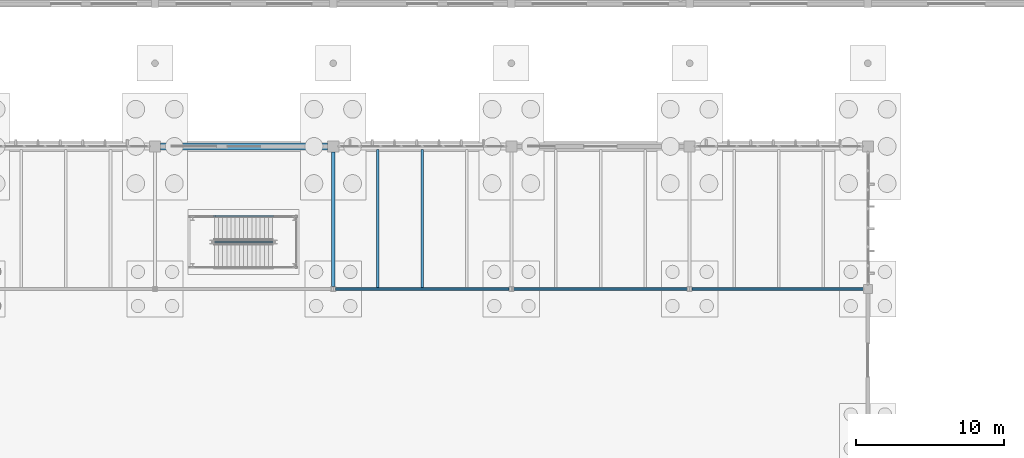
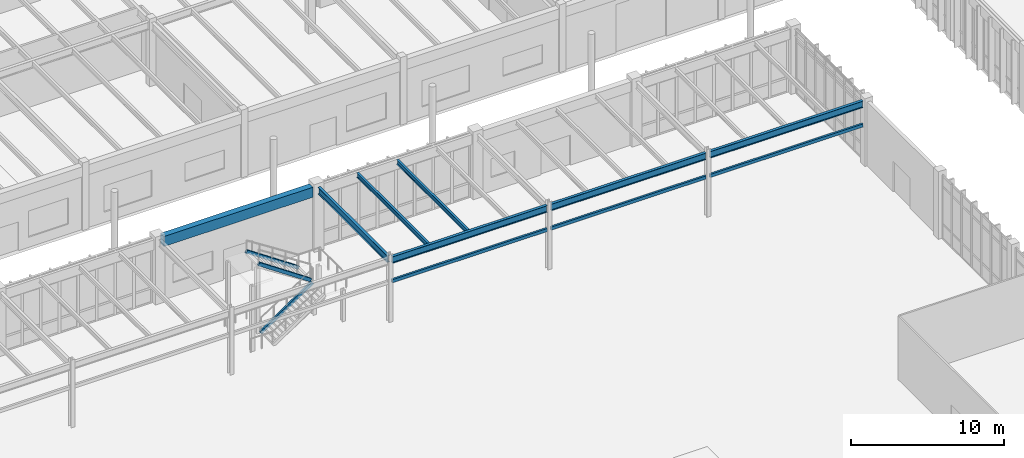
# One storey, part 78 of 188: 10 beams, 3 members.
"""IFC4 building model written with IfcOpenShell, lengths in metres."""

from ifc_helpers import new_model, si_unit, direction, frame, origin, origin_2d, place, context, subcontext, project, spatial, rectangle, hollow_rectangle, i_section, extrude, material, material_profile, profile_set, type_object, element, save


model = new_model("IFC4")

# Units and contexts
model_context = context("Model", 3, precision=1e-05, world=origin(), true_north=direction((0.0, 1.0)))
body_context = subcontext(model_context, "Body", "Model", "MODEL_VIEW")
ifc_project = project(units=[si_unit("LENGTHUNIT", "METRE"), si_unit("AREAUNIT", "SQUARE_METRE"), si_unit("VOLUMEUNIT", "CUBIC_METRE"), si_unit("PLANEANGLEUNIT", "RADIAN"), si_unit("MASSUNIT", "GRAM", prefix="KILO")], contexts=[model_context])

# Site, building, storey
site_placement = place(None, origin())
site = spatial("IfcSite", under=ifc_project, at=site_placement, CompositionType="ELEMENT")
building_placement = place(site_placement, origin())
building = spatial("IfcBuilding", under=site, at=building_placement, Name="Pandanus Reach Market Hall", CompositionType="ELEMENT")
storey_placement = place(building_placement, origin())
storey = spatial("IfcBuildingStorey", under=building, at=storey_placement, Name="L00", CompositionType="ELEMENT", Elevation=0.0)

# Beams
ifc_material_1 = material(Name="Concrete N40 (40 MPa)", Category="concrete")
ifc_material_profile_1 = material_profile(ifc_material_1, rectangle(XDim=0.449951171875, YDim=0.800048828125, at=origin_2d()), Name="RC450x800", Category="LoadBearing")
ifc_profile_set_1 = profile_set([ifc_material_profile_1], Name="Concrete N40 (40 MPa)")
beam_type_1 = type_object("IfcBeamType", Name="BM-RC450-E", PredefinedType="SPANDREL", material=ifc_profile_set_1)
beam_1_placement = place(storey_placement, frame((84.373046875, 86.39990234375, 4.719970703125), z_axis=(1.0, 0.0, 0.0), x_axis=(0.0, 1.0, 0.0)))
element("IfcBeam", 1, at=beam_1_placement, inside=storey, type_object=beam_type_1, Name="Framing beam BM-RC450-E L00.1062", PredefinedType="SPANDREL", context=body_context, shape_type="SweptSolid", body=[
    extrude(rectangle(XDim=0.449951171875, YDim=0.800048828125, at=origin_2d()), origin(), (0.0, 0.0, 1.0), 11.25390625),
])
ifc_material_2 = material(Name="Steel Grade 350 (350 MPa)", Category="steel")
ifc_material_profile_2 = material_profile(ifc_material_2, i_section(OverallWidth=0.208984375, OverallDepth=0.532958984375, WebThickness=0.01025390625, FlangeThickness=0.015625, at=origin_2d()), Name="530UB92.4", Category="LoadBearing")
ifc_profile_set_2 = profile_set([ifc_material_profile_2], Name="Steel Grade 350 (350 MPa)")
beam_type_2 = type_object("IfcBeamType", Name="BM-UB530-I", PredefinedType="BEAM", material=ifc_profile_set_2)
for number, where, z_axis, x_axis, name in (
    (2, (96.155517578125, 76.800048828125, 4.85302734375), (1.0, 0.0, 0.0), (0.0, 1.0, 0.0), "Framing beam BM-UB530-I L00.1056"),
    (3, (108.155517578125, 76.800048828125, 4.85302734375), (1.0, 0.0, 0.0), (0.0, 1.0, 0.0), "Framing beam BM-UB530-I L00.1057"),
):
    element("IfcBeam", number, at=place(storey_placement, frame(where, z_axis=z_axis, x_axis=x_axis)), inside=storey, type_object=beam_type_2, Name=name, PredefinedType="BEAM", context=body_context, shape_type="SweptSolid", body=[
        extrude(i_section(OverallWidth=0.208984375, OverallDepth=0.532958984375, WebThickness=0.01025390625, FlangeThickness=0.015625, at=origin_2d()), origin(), (0.0, 0.0, 1.0), 11.68896484375),
    ])
beam_2_placement = place(storey_placement, frame((120.155517578125, 76.800048828125, 4.85302734375), z_axis=(1.0, 0.0, 0.0), x_axis=(0.0, 1.0, 0.0)))
element("IfcBeam", 4, at=beam_2_placement, inside=storey, type_object=beam_type_2, Name="Framing beam BM-UB530-I L00.1058", PredefinedType="BEAM", context=body_context, shape_type="SweptSolid", body=[
    extrude(i_section(OverallWidth=0.208984375, OverallDepth=0.532958984375, WebThickness=0.01025390625, FlangeThickness=0.015625, at=origin_2d()), origin(), (0.0, 0.0, 1.0), 11.54638671875),
])
beam_3_placement = place(storey_placement, frame((96.0, 76.95556640625, 4.85302734375), z_axis=(0.0, 1.0, 0.0), x_axis=(-1.0, 0.0, 0.0)))
element("IfcBeam", 5, at=beam_3_placement, inside=storey, type_object=beam_type_2, Name="Framing beam BM-UB530-I L00.1075", PredefinedType="BEAM", context=body_context, shape_type="SweptSolid", body=[
    extrude(i_section(OverallWidth=0.208984375, OverallDepth=0.532958984375, WebThickness=0.01025390625, FlangeThickness=0.015625, at=origin_2d()), origin(), (0.0, 0.0, 1.0), 9.071533203125),
])
ifc_material_profile_3 = material_profile(ifc_material_2, i_section(OverallWidth=0.1708984375, OverallDepth=0.35595703125, WebThickness=0.00732421875, FlangeThickness=0.011474609375, at=origin_2d()), Name="360UB50.7", Category="LoadBearing")
ifc_profile_set_3 = profile_set([ifc_material_profile_3], Name="Steel Grade 350 (350 MPa)")
beam_type_3 = type_object("IfcBeamType", Name="JS-UB360-I", PredefinedType="JOIST", material=ifc_profile_set_3)
for number, where, z_axis, x_axis, name in (
    (6, (99.0, 76.902587890625, 4.941650390625), (0.0, 1.0, 0.0), (-1.0, 0.0, 0.0), "Secondary joist JS-UB360-I L00.1126"),
    (7, (102.0, 76.902587890625, 4.941650390625), (0.0, 1.0, 0.0), (-1.0, 0.0, 0.0), "Secondary joist JS-UB360-I L00.1127"),
):
    element("IfcBeam", number, at=place(storey_placement, frame(where, z_axis=z_axis, x_axis=x_axis)), inside=storey, type_object=beam_type_3, Name=name, PredefinedType="JOIST", context=body_context, shape_type="SweptSolid", body=[
        extrude(i_section(OverallWidth=0.1708984375, OverallDepth=0.35595703125, WebThickness=0.00732421875, FlangeThickness=0.011474609375, at=origin_2d()), origin(), (0.0, 0.0, 1.0), 9.2744140625),
    ])
ifc_material_profile_4 = material_profile(ifc_material_2, hollow_rectangle(XDim=0.14990234375, YDim=0.25, WallThickness=0.009033203125, at=origin_2d()), Name="250x150x9.0RHS", Category="LoadBearing")
ifc_profile_set_4 = profile_set([ifc_material_profile_4], Name="Steel Grade 350 (350 MPa)")
beam_type_4 = type_object("IfcBeamType", Name="LN-RHS250-E", PredefinedType="LINTEL", material=ifc_profile_set_4)
for number, where, z_axis, x_axis, name in (
    (8, (96.14794921875, 76.800048828125, 3.14990234375), (1.0, 0.0, 0.0), (0.0, 1.0, 0.0), "Market stall portal lintel LN-RHS250-E 10"),
    (9, (108.14794921875, 76.800048828125, 3.14990234375), (1.0, 0.0, 0.0), (0.0, 1.0, 0.0), "Market stall portal lintel LN-RHS250-E 11"),
):
    element("IfcBeam", number, at=place(storey_placement, frame(where, z_axis=z_axis, x_axis=x_axis)), inside=storey, type_object=beam_type_4, Name=name, PredefinedType="LINTEL", context=body_context, shape_type="SweptSolid", body=[
        extrude(hollow_rectangle(XDim=0.14990234375, YDim=0.25, WallThickness=0.009033203125, at=origin_2d()), origin(), (0.0, 0.0, 1.0), 11.7041015625),
    ])
beam_4_placement = place(storey_placement, frame((120.14794921875, 76.800048828125, 3.14990234375), z_axis=(1.0, 0.0, 0.0), x_axis=(0.0, 1.0, 0.0)))
element("IfcBeam", 10, at=beam_4_placement, inside=storey, type_object=beam_type_4, Name="Market stall portal lintel LN-RHS250-E 12", PredefinedType="LINTEL", context=body_context, shape_type="SweptSolid", body=[
    extrude(hollow_rectangle(XDim=0.14990234375, YDim=0.25, WallThickness=0.009033203125, at=origin_2d()), origin(), (0.0, 0.0, 1.0), 11.55615234375),
])

# Members
ifc_material_profile_5 = material_profile(ifc_material_2, hollow_rectangle(XDim=0.14990234375, YDim=0.25, WallThickness=0.009033203125, at=origin_2d()), Name="250x150x9.0RHS", Category="LoadBearing")
ifc_profile_set_5 = profile_set([ifc_material_profile_5], Name="Steel Grade 350 (350 MPa)")
member_type = type_object("IfcMemberType", Name="SG-RHS250-I", PredefinedType="STRINGER", material=ifc_profile_set_5)
for number, where, z_axis, x_axis, name in (
    (11, (88.0, 79.840087890625, 0.02001953125), (0.827479195178, 0.0, 0.561496377146), (0.0, 1.0, 0.0), "Stair stringer ST-09 L00 F1R"),
    (12, (91.919921875, 81.7099609375, 2.719970703125), (-0.827479195178, 0.0, 0.561496377146), (0.0, -1.0, 0.0), "Stair stringer ST-09 L00 F2L"),
    (13, (91.919921875, 80.080078125, 2.719970703125), (-0.827479195178, 0.0, 0.561496377146), (0.0, -1.0, 0.0), "Stair stringer ST-09 L00 F2R"),
):
    element("IfcMember", number, at=place(storey_placement, frame(where, z_axis=z_axis, x_axis=x_axis)), inside=storey, type_object=member_type, Name=name, PredefinedType="STRINGER", context=body_context, shape_type="SweptSolid", body=[
        extrude(hollow_rectangle(XDim=0.14990234375, YDim=0.25, WallThickness=0.009033203125, at=origin_2d()), origin(), (0.0, 0.0, 1.0), 4.7373046875),
    ])

save(model, "model.ifc")
